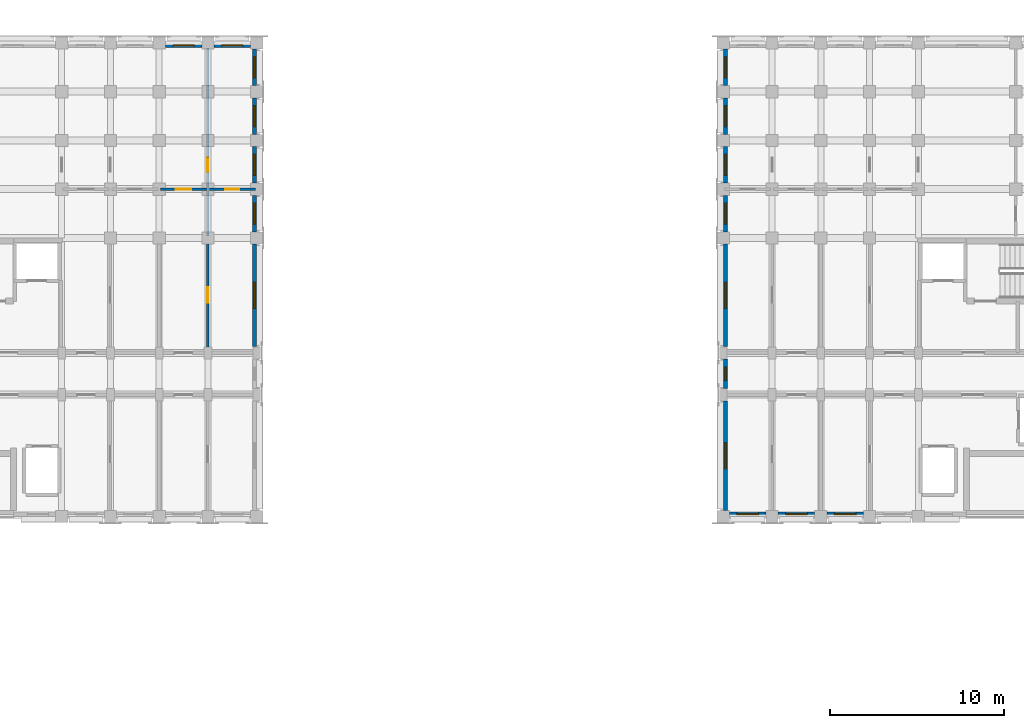
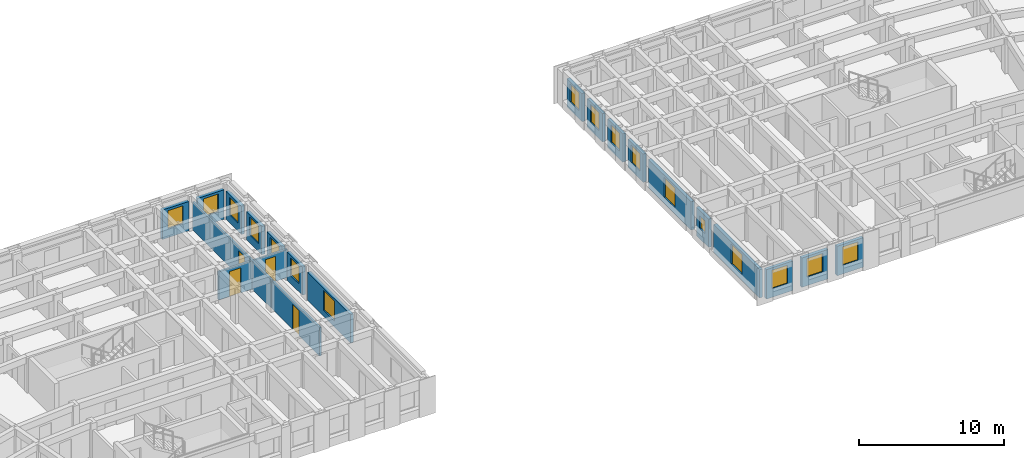
# One storey, part 30 of 57: 21 walls, 17 windows, 4 doors, 21 openings.
"""IFC4 building model written with IfcOpenShell, lengths in metres."""

from ifc_helpers import new_model, si_unit, direction, frame, frame_2d, origin, place, context, subcontext, project, spatial, rectangle, extrude, material, layer, layer_set, type_object, element, fill, save


model = new_model("IFC4")

# Units and contexts
model_context = context("Model", 3, precision=1e-05, world=origin(), true_north=direction((0.0, 1.0)))
body_context = subcontext(model_context, "Body", "Model", "MODEL_VIEW")
ifc_project = project(units=[si_unit("LENGTHUNIT", "METRE"), si_unit("AREAUNIT", "SQUARE_METRE"), si_unit("VOLUMEUNIT", "CUBIC_METRE"), si_unit("PLANEANGLEUNIT", "RADIAN"), si_unit("MASSUNIT", "GRAM", prefix="KILO")], contexts=[model_context])

# Site, building, storey
site_placement = place(None, origin())
site = spatial("IfcSite", under=ifc_project, at=site_placement, CompositionType="ELEMENT")
building_placement = place(site_placement, origin())
building = spatial("IfcBuilding", under=site, at=building_placement, Name="Kiranvali Square Residences", CompositionType="ELEMENT")
storey_placement = place(building_placement, frame((0.0, 0.0, 24.449951171875)))
storey = spatial("IfcBuildingStorey", under=building, at=storey_placement, Name="L07", CompositionType="ELEMENT", Elevation=24.449951171875)

# Wall, opening, window
ifc_material_1 = material(Name="Breathable lime-rendered clay brick masonry", Category="masonry")
ifc_layer_1 = layer(ifc_material_1, 0.25)
ifc_layer_set_1 = layer_set([ifc_layer_1], Name="Breathable lime-rendered clay brick masonry")
wall_type_1 = type_object("IfcWallType", Name="WL-EXT-250", PredefinedType="STANDARD", material=ifc_layer_set_1)
wall_1_placement = place(storey_placement, frame((65.353515625, 133.675048828125, 0.0), z_axis=(0.0, 0.0, 1.0), x_axis=(1.0, 0.0, 0.0)))
wall_1 = element("IfcWall", 1, at=wall_1_placement, inside=storey, type_object=wall_type_1, Name="L07 exterior wall A-L07-A1O-4", PredefinedType="STANDARD", context=body_context, shape_type="SweptSolid", body=[
    extrude(rectangle(XDim=2.093017578125, YDim=0.25, at=frame_2d((1.04638671875, 0.0))), origin(), (0.0, 0.0, 1.0), 2.47216796875),
])
opening_1_placement = place(wall_1_placement, frame((0.446533203125, 0.0, 0.77197265625)))
opening_1 = element("IfcOpeningElement", 2, at=opening_1_placement, cuts=wall_1, Name="Opening W-06", PredefinedType="OPENING", context=body_context, shape_type="SweptSolid", body=[
    extrude(rectangle(XDim=1.199951171875, YDim=1.5, at=frame_2d((0.60009765625, 0.75))), frame((0.0, 0.135009765625, 0.0), z_axis=(0.0, -1.0, 0.0), x_axis=(1.0, 0.0, 0.0)), (0.0, 0.0, 1.0), 0.27001953125),
])
ifc_material_2 = material(Name="Solar-control low-e double glazing", Category="glass")
window_type_1 = type_object("IfcWindowType", Name="WIN-RES-1200x1500", PartitioningType="SINGLE_PANEL", PredefinedType="WINDOW", material=ifc_material_2)
window_1_placement = place(opening_1_placement, origin())
window_1 = element("IfcWindow", 3, at=window_1_placement, inside=storey, type_object=window_type_1, Name="L07 recessed window A-L07-A1O-4", OverallHeight=1.5, OverallWidth=1.199951171875, PartitioningType="SINGLE_PANEL", PredefinedType="WINDOW", context=body_context, shape_type="SweptSolid", body=[
    extrude(rectangle(XDim=1.199951171875, YDim=1.5, at=frame_2d((0.60009765625, 0.75))), frame((0.0, 0.030029296875, 0.0), z_axis=(0.0, -1.0, 0.0), x_axis=(1.0, 0.0, 0.0)), (0.0, 0.0, 1.0), 0.06005859375),
])
fill(opening_1, window_1)

wall_2_placement = place(storey_placement, frame((68.153564453125, 133.675048828125, 0.0), z_axis=(0.0, 0.0, 1.0), x_axis=(1.0, 0.0, 0.0)))
wall_2 = element("IfcWall", 4, at=wall_2_placement, inside=storey, type_object=wall_type_1, Name="L07 exterior wall A-L07-A1O-5", PredefinedType="STANDARD", context=body_context, shape_type="SweptSolid", body=[
    extrude(rectangle(XDim=2.093017578125, YDim=0.25, at=frame_2d((1.04638671875, 0.0))), origin(), (0.0, 0.0, 1.0), 2.47216796875),
])
opening_2_placement = place(wall_2_placement, frame((0.446533203125, 0.0, 0.77197265625)))
opening_2 = element("IfcOpeningElement", 5, at=opening_2_placement, cuts=wall_2, Name="Opening W-06", PredefinedType="OPENING", context=body_context, shape_type="SweptSolid", body=[
    extrude(rectangle(XDim=1.199951171875, YDim=1.5, at=frame_2d((0.60009765625, 0.75))), frame((0.0, 0.135009765625, 0.0), z_axis=(0.0, -1.0, 0.0), x_axis=(1.0, 0.0, 0.0)), (0.0, 0.0, 1.0), 0.27001953125),
])
window_2_placement = place(opening_2_placement, origin())
window_2 = element("IfcWindow", 6, at=window_2_placement, inside=storey, type_object=window_type_1, Name="L07 recessed window A-L07-A1O-5", OverallHeight=1.5, OverallWidth=1.199951171875, PartitioningType="SINGLE_PANEL", PredefinedType="WINDOW", context=body_context, shape_type="SweptSolid", body=[
    extrude(rectangle(XDim=1.199951171875, YDim=1.5, at=frame_2d((0.60009765625, 0.75))), frame((0.0, 0.030029296875, 0.0), z_axis=(0.0, -1.0, 0.0), x_axis=(1.0, 0.0, 0.0)), (0.0, 0.0, 1.0), 0.06005859375),
])
fill(opening_2, window_2)

wall_3_placement = place(storey_placement, frame((70.47509765625, 116.353515625, 0.0), z_axis=(0.0, 0.0, 1.0), x_axis=(0.0, 1.0, 0.0)))
wall_3 = element("IfcWall", 7, at=wall_3_placement, inside=storey, type_object=wall_type_1, Name="L07 exterior wall A-L07-A1END-2", PredefinedType="STANDARD", context=body_context, shape_type="SweptSolid", body=[
    extrude(rectangle(XDim=5.89306640625, YDim=0.25, at=frame_2d((2.946533203125, 0.0))), origin(), (0.0, 0.0, 1.0), 2.3720703125),
])
opening_3_placement = place(wall_3_placement, frame((2.196533203125, 0.0, 0.52197265625)))
opening_3 = element("IfcOpeningElement", 8, at=opening_3_placement, cuts=wall_3, Name="Opening W-05", PredefinedType="OPENING", context=body_context, shape_type="SweptSolid", body=[
    extrude(rectangle(XDim=1.5, YDim=1.64990234375, at=frame_2d((0.75, 0.824951171875))), frame((0.0, 0.135009765625, 0.0), z_axis=(0.0, -1.0, 0.0), x_axis=(1.0, 0.0, 0.0)), (0.0, 0.0, 1.0), 0.27001953125),
])
window_type_2 = type_object("IfcWindowType", Name="WIN-RES-1500x1650", PartitioningType="DOUBLE_PANEL_VERTICAL", PredefinedType="WINDOW", material=ifc_material_2)
window_3_placement = place(opening_3_placement, origin())
window_3 = element("IfcWindow", 9, at=window_3_placement, inside=storey, type_object=window_type_2, Name="L07 recessed window A-L07-A1END-2", OverallHeight=1.64990234375, OverallWidth=1.5, PartitioningType="DOUBLE_PANEL_VERTICAL", PredefinedType="WINDOW", context=body_context, shape_type="SweptSolid", body=[
    extrude(rectangle(XDim=1.5, YDim=1.64990234375, at=frame_2d((0.75, 0.824951171875))), frame((0.0, 0.030029296875, 0.0), z_axis=(0.0, -1.0, 0.0), x_axis=(1.0, 0.0, 0.0)), (0.0, 0.0, 1.0), 0.06005859375),
])
fill(opening_3, window_3)

wall_4_placement = place(storey_placement, frame((70.47509765625, 122.95361328125, 0.0), z_axis=(0.0, 0.0, 1.0), x_axis=(0.0, 1.0, 0.0)))
wall_4 = element("IfcWall", 10, at=wall_4_placement, inside=storey, type_object=wall_type_1, Name="L07 exterior wall A-L07-A1END-3", PredefinedType="STANDARD", context=body_context, shape_type="SweptSolid", body=[
    extrude(rectangle(XDim=2.0927734375, YDim=0.25, at=frame_2d((1.04638671875, 0.0))), origin(), (0.0, 0.0, 1.0), 2.3720703125),
])
opening_4_placement = place(wall_4_placement, frame((0.446533203125, 0.0, 0.672119140625)))
opening_4 = element("IfcOpeningElement", 11, at=opening_4_placement, cuts=wall_4, Name="Opening W-06", PredefinedType="OPENING", context=body_context, shape_type="SweptSolid", body=[
    extrude(rectangle(XDim=1.199951171875, YDim=1.5, at=frame_2d((0.60009765625, 0.75))), frame((0.0, 0.135009765625, 0.0), z_axis=(0.0, -1.0, 0.0), x_axis=(1.0, 0.0, 0.0)), (0.0, 0.0, 1.0), 0.27001953125),
])
window_4_placement = place(opening_4_placement, origin())
window_4 = element("IfcWindow", 12, at=window_4_placement, inside=storey, type_object=window_type_1, Name="L07 recessed window A-L07-A1END-3", OverallHeight=1.5, OverallWidth=1.199951171875, PartitioningType="SINGLE_PANEL", PredefinedType="WINDOW", context=body_context, shape_type="SweptSolid", body=[
    extrude(rectangle(XDim=1.199951171875, YDim=1.5, at=frame_2d((0.60009765625, 0.75))), frame((0.0, 0.030029296875, 0.0), z_axis=(0.0, -1.0, 0.0), x_axis=(1.0, 0.0, 0.0)), (0.0, 0.0, 1.0), 0.06005859375),
])
fill(opening_4, window_4)

wall_5_placement = place(storey_placement, frame((70.47509765625, 125.75341796875, 0.0), z_axis=(0.0, 0.0, 1.0), x_axis=(0.0, 1.0, 0.0)))
wall_5 = element("IfcWall", 13, at=wall_5_placement, inside=storey, type_object=wall_type_1, Name="L07 exterior wall A-L07-A1END-4", PredefinedType="STANDARD", context=body_context, shape_type="SweptSolid", body=[
    extrude(rectangle(XDim=2.093017578125, YDim=0.25, at=frame_2d((1.04638671875, 0.0))), origin(), (0.0, 0.0, 1.0), 2.3720703125),
])
opening_5_placement = place(wall_5_placement, frame((0.446533203125, 0.0, 0.672119140625)))
opening_5 = element("IfcOpeningElement", 14, at=opening_5_placement, cuts=wall_5, Name="Opening W-06", PredefinedType="OPENING", context=body_context, shape_type="SweptSolid", body=[
    extrude(rectangle(XDim=1.199951171875, YDim=1.5, at=frame_2d((0.60009765625, 0.75))), frame((0.0, 0.135009765625, 0.0), z_axis=(0.0, -1.0, 0.0), x_axis=(1.0, 0.0, 0.0)), (0.0, 0.0, 1.0), 0.27001953125),
])
window_5_placement = place(opening_5_placement, origin())
window_5 = element("IfcWindow", 15, at=window_5_placement, inside=storey, type_object=window_type_1, Name="L07 recessed window A-L07-A1END-4", OverallHeight=1.5, OverallWidth=1.199951171875, PartitioningType="SINGLE_PANEL", PredefinedType="WINDOW", context=body_context, shape_type="SweptSolid", body=[
    extrude(rectangle(XDim=1.199951171875, YDim=1.5, at=frame_2d((0.60009765625, 0.75))), frame((0.0, 0.030029296875, 0.0), z_axis=(0.0, -1.0, 0.0), x_axis=(1.0, 0.0, 0.0)), (0.0, 0.0, 1.0), 0.06005859375),
])
fill(opening_5, window_5)

wall_6_placement = place(storey_placement, frame((70.47509765625, 128.553466796875, 0.0), z_axis=(0.0, 0.0, 1.0), x_axis=(0.0, 1.0, 0.0)))
wall_6 = element("IfcWall", 16, at=wall_6_placement, inside=storey, type_object=wall_type_1, Name="L07 exterior wall A-L07-A1END-5", PredefinedType="STANDARD", context=body_context, shape_type="SweptSolid", body=[
    extrude(rectangle(XDim=2.093017578125, YDim=0.25, at=frame_2d((1.04638671875, 0.0))), origin(), (0.0, 0.0, 1.0), 2.3720703125),
])
opening_6_placement = place(wall_6_placement, frame((0.446533203125, 0.0, 0.672119140625)))
opening_6 = element("IfcOpeningElement", 17, at=opening_6_placement, cuts=wall_6, Name="Opening W-06", PredefinedType="OPENING", context=body_context, shape_type="SweptSolid", body=[
    extrude(rectangle(XDim=1.199951171875, YDim=1.5, at=frame_2d((0.60009765625, 0.75))), frame((0.0, 0.135009765625, 0.0), z_axis=(0.0, -1.0, 0.0), x_axis=(1.0, 0.0, 0.0)), (0.0, 0.0, 1.0), 0.27001953125),
])
window_6_placement = place(opening_6_placement, origin())
window_6 = element("IfcWindow", 18, at=window_6_placement, inside=storey, type_object=window_type_1, Name="L07 recessed window A-L07-A1END-5", OverallHeight=1.5, OverallWidth=1.199951171875, PartitioningType="SINGLE_PANEL", PredefinedType="WINDOW", context=body_context, shape_type="SweptSolid", body=[
    extrude(rectangle(XDim=1.199951171875, YDim=1.5, at=frame_2d((0.60009765625, 0.75))), frame((0.0, 0.030029296875, 0.0), z_axis=(0.0, -1.0, 0.0), x_axis=(1.0, 0.0, 0.0)), (0.0, 0.0, 1.0), 0.06005859375),
])
fill(opening_6, window_6)

wall_7_placement = place(storey_placement, frame((70.47509765625, 131.353515625, 0.0), z_axis=(0.0, 0.0, 1.0), x_axis=(0.0, 1.0, 0.0)))
wall_7 = element("IfcWall", 19, at=wall_7_placement, inside=storey, type_object=wall_type_1, Name="L07 exterior wall A-L07-A1END-6", PredefinedType="STANDARD", context=body_context, shape_type="SweptSolid", body=[
    extrude(rectangle(XDim=2.093017578125, YDim=0.25, at=frame_2d((1.04638671875, 0.0))), origin(), (0.0, 0.0, 1.0), 2.3720703125),
])
opening_7_placement = place(wall_7_placement, frame((0.446533203125, 0.0, 0.672119140625)))
opening_7 = element("IfcOpeningElement", 20, at=opening_7_placement, cuts=wall_7, Name="Opening W-06", PredefinedType="OPENING", context=body_context, shape_type="SweptSolid", body=[
    extrude(rectangle(XDim=1.199951171875, YDim=1.5, at=frame_2d((0.60009765625, 0.75))), frame((0.0, 0.135009765625, 0.0), z_axis=(0.0, -1.0, 0.0), x_axis=(1.0, 0.0, 0.0)), (0.0, 0.0, 1.0), 0.27001953125),
])
window_7_placement = place(opening_7_placement, origin())
window_7 = element("IfcWindow", 21, at=window_7_placement, inside=storey, type_object=window_type_1, Name="L07 recessed window A-L07-A1END-6", OverallHeight=1.5, OverallWidth=1.199951171875, PartitioningType="SINGLE_PANEL", PredefinedType="WINDOW", context=body_context, shape_type="SweptSolid", body=[
    extrude(rectangle(XDim=1.199951171875, YDim=1.5, at=frame_2d((0.60009765625, 0.75))), frame((0.0, 0.030029296875, 0.0), z_axis=(0.0, -1.0, 0.0), x_axis=(1.0, 0.0, 0.0)), (0.0, 0.0, 1.0), 0.06005859375),
])
fill(opening_7, window_7)

wall_8_placement = place(storey_placement, frame((105.446533203125, 106.72509765625, 0.0), z_axis=(0.0, 0.0, 1.0), x_axis=(-1.0, 0.0, 0.0)))
wall_8 = element("IfcWall", 22, at=wall_8_placement, inside=storey, type_object=wall_type_1, Name="L07 exterior wall B-L07-A1I-1", PredefinedType="STANDARD", context=body_context, shape_type="SweptSolid", body=[
    extrude(rectangle(XDim=2.093017578125, YDim=0.25, at=frame_2d((1.04638671875, 0.0))), origin(), (0.0, 0.0, 1.0), 2.47216796875),
])
opening_8_placement = place(wall_8_placement, frame((0.42138671875, 0.0, 0.721923828125)))
opening_8 = element("IfcOpeningElement", 23, at=opening_8_placement, cuts=wall_8, Name="Opening W-19", PredefinedType="OPENING", context=body_context, shape_type="SweptSolid", body=[
    extrude(rectangle(XDim=1.25, YDim=1.550048828125, at=frame_2d((0.625, 0.77490234375))), frame((0.0, 0.135009765625, 0.0), z_axis=(0.0, -1.0, 0.0), x_axis=(1.0, 0.0, 0.0)), (0.0, 0.0, 1.0), 0.27001953125),
])
window_type_3 = type_object("IfcWindowType", Name="WIN-GDN-1250x1550", PartitioningType="SINGLE_PANEL", PredefinedType="WINDOW", material=ifc_material_2)
window_8_placement = place(opening_8_placement, origin())
window_8 = element("IfcWindow", 24, at=window_8_placement, inside=storey, type_object=window_type_3, Name="L07 recessed window B-L07-A1I-1", OverallHeight=1.550048828125, OverallWidth=1.25, PartitioningType="SINGLE_PANEL", PredefinedType="WINDOW", context=body_context, shape_type="SweptSolid", body=[
    extrude(rectangle(XDim=1.25, YDim=1.550048828125, at=frame_2d((0.625, 0.77490234375))), frame((0.0, 0.030029296875, 0.0), z_axis=(0.0, -1.0, 0.0), x_axis=(1.0, 0.0, 0.0)), (0.0, 0.0, 1.0), 0.06005859375),
])
fill(opening_8, window_8)

wall_9_placement = place(storey_placement, frame((102.646484375, 106.72509765625, 0.0), z_axis=(0.0, 0.0, 1.0), x_axis=(-1.0, 0.0, 0.0)))
wall_9 = element("IfcWall", 25, at=wall_9_placement, inside=storey, type_object=wall_type_1, Name="L07 exterior wall B-L07-A1I-2", PredefinedType="STANDARD", context=body_context, shape_type="SweptSolid", body=[
    extrude(rectangle(XDim=2.093017578125, YDim=0.25, at=frame_2d((1.04638671875, 0.0))), origin(), (0.0, 0.0, 1.0), 2.47216796875),
])
opening_9_placement = place(wall_9_placement, frame((0.42138671875, 0.0, 0.721923828125)))
opening_9 = element("IfcOpeningElement", 26, at=opening_9_placement, cuts=wall_9, Name="Opening W-19", PredefinedType="OPENING", context=body_context, shape_type="SweptSolid", body=[
    extrude(rectangle(XDim=1.25, YDim=1.550048828125, at=frame_2d((0.625, 0.77490234375))), frame((0.0, 0.135009765625, 0.0), z_axis=(0.0, -1.0, 0.0), x_axis=(1.0, 0.0, 0.0)), (0.0, 0.0, 1.0), 0.27001953125),
])
window_9_placement = place(opening_9_placement, origin())
window_9 = element("IfcWindow", 27, at=window_9_placement, inside=storey, type_object=window_type_3, Name="L07 recessed window B-L07-A1I-2", OverallHeight=1.550048828125, OverallWidth=1.25, PartitioningType="SINGLE_PANEL", PredefinedType="WINDOW", context=body_context, shape_type="SweptSolid", body=[
    extrude(rectangle(XDim=1.25, YDim=1.550048828125, at=frame_2d((0.625, 0.77490234375))), frame((0.0, 0.030029296875, 0.0), z_axis=(0.0, -1.0, 0.0), x_axis=(1.0, 0.0, 0.0)), (0.0, 0.0, 1.0), 0.06005859375),
])
fill(opening_9, window_9)

wall_10_placement = place(storey_placement, frame((99.846435546875, 106.72509765625, 0.0), z_axis=(0.0, 0.0, 1.0), x_axis=(-1.0, 0.0, 0.0)))
wall_10 = element("IfcWall", 28, at=wall_10_placement, inside=storey, type_object=wall_type_1, Name="L07 exterior wall B-L07-A1I-3", PredefinedType="STANDARD", context=body_context, shape_type="SweptSolid", body=[
    extrude(rectangle(XDim=2.093017578125, YDim=0.25, at=frame_2d((1.04638671875, 0.0))), origin(), (0.0, 0.0, 1.0), 2.47216796875),
])
opening_10_placement = place(wall_10_placement, frame((0.42138671875, 0.0, 0.721923828125)))
opening_10 = element("IfcOpeningElement", 29, at=opening_10_placement, cuts=wall_10, Name="Opening W-19", PredefinedType="OPENING", context=body_context, shape_type="SweptSolid", body=[
    extrude(rectangle(XDim=1.25, YDim=1.550048828125, at=frame_2d((0.625, 0.77490234375))), frame((0.0, 0.135009765625, 0.0), z_axis=(0.0, -1.0, 0.0), x_axis=(1.0, 0.0, 0.0)), (0.0, 0.0, 1.0), 0.27001953125),
])
window_10_placement = place(opening_10_placement, origin())
window_10 = element("IfcWindow", 30, at=window_10_placement, inside=storey, type_object=window_type_3, Name="L07 recessed window B-L07-A1I-3", OverallHeight=1.550048828125, OverallWidth=1.25, PartitioningType="SINGLE_PANEL", PredefinedType="WINDOW", context=body_context, shape_type="SweptSolid", body=[
    extrude(rectangle(XDim=1.25, YDim=1.550048828125, at=frame_2d((0.625, 0.77490234375))), frame((0.0, 0.030029296875, 0.0), z_axis=(0.0, -1.0, 0.0), x_axis=(1.0, 0.0, 0.0)), (0.0, 0.0, 1.0), 0.06005859375),
])
fill(opening_10, window_10)

wall_11_placement = place(storey_placement, frame((97.52490234375, 106.95361328125, 0.0), z_axis=(0.0, 0.0, 1.0), x_axis=(0.0, 1.0, 0.0)))
wall_11 = element("IfcWall", 31, at=wall_11_placement, inside=storey, type_object=wall_type_1, Name="L07 exterior wall B-L07-A1END-0", PredefinedType="STANDARD", context=body_context, shape_type="SweptSolid", body=[
    extrude(rectangle(XDim=6.29296875, YDim=0.25, at=frame_2d((3.146484375, 0.0))), origin(), (0.0, 0.0, 1.0), 2.3720703125),
])
opening_11_placement = place(wall_11_placement, frame((2.396484375, 0.0, 0.52197265625)))
opening_11 = element("IfcOpeningElement", 32, at=opening_11_placement, cuts=wall_11, Name="Opening W-05", PredefinedType="OPENING", context=body_context, shape_type="SweptSolid", body=[
    extrude(rectangle(XDim=1.5, YDim=1.64990234375, at=frame_2d((0.75, 0.824951171875))), frame((0.0, 0.135009765625, 0.0), z_axis=(0.0, -1.0, 0.0), x_axis=(1.0, 0.0, 0.0)), (0.0, 0.0, 1.0), 0.27001953125),
])
window_11_placement = place(opening_11_placement, origin())
window_11 = element("IfcWindow", 33, at=window_11_placement, inside=storey, type_object=window_type_2, Name="L07 recessed window B-L07-A1END-0", OverallHeight=1.64990234375, OverallWidth=1.5, PartitioningType="DOUBLE_PANEL_VERTICAL", PredefinedType="WINDOW", context=body_context, shape_type="SweptSolid", body=[
    extrude(rectangle(XDim=1.5, YDim=1.64990234375, at=frame_2d((0.75, 0.824951171875))), frame((0.0, 0.030029296875, 0.0), z_axis=(0.0, -1.0, 0.0), x_axis=(1.0, 0.0, 0.0)), (0.0, 0.0, 1.0), 0.06005859375),
])
fill(opening_11, window_11)

wall_12_placement = place(storey_placement, frame((97.52490234375, 113.95361328125, 0.0), z_axis=(0.0, 0.0, 1.0), x_axis=(0.0, 1.0, 0.0)))
wall_12 = element("IfcWall", 34, at=wall_12_placement, inside=storey, type_object=wall_type_1, Name="L07 exterior wall B-L07-A1END-1", PredefinedType="STANDARD", context=body_context, shape_type="SweptSolid", body=[
    extrude(rectangle(XDim=1.69287109375, YDim=0.25, at=frame_2d((0.846435546875, 0.0))), origin(), (0.0, 0.0, 1.0), 2.3720703125),
])
opening_12_placement = place(wall_12_placement, frame((0.471435546875, 0.0, 0.8798828125)))
opening_12 = element("IfcOpeningElement", 35, at=opening_12_placement, cuts=wall_12, Name="Opening W-07", PredefinedType="OPENING", context=body_context, shape_type="SweptSolid", body=[
    extrude(rectangle(XDim=0.75, YDim=1.050048828125, at=frame_2d((0.375, 0.52490234375))), frame((0.0, 0.135009765625, 0.0), z_axis=(0.0, -1.0, 0.0), x_axis=(1.0, 0.0, 0.0)), (0.0, 0.0, 1.0), 0.27001953125),
])
window_type_4 = type_object("IfcWindowType", Name="WIN-WET-750x1050", PartitioningType="SINGLE_PANEL", PredefinedType="WINDOW", material=ifc_material_2)
window_12_placement = place(opening_12_placement, origin())
window_12 = element("IfcWindow", 36, at=window_12_placement, inside=storey, type_object=window_type_4, Name="L07 recessed window B-L07-A1END-1", OverallHeight=1.050048828125, OverallWidth=0.75, PartitioningType="SINGLE_PANEL", PredefinedType="WINDOW", context=body_context, shape_type="SweptSolid", body=[
    extrude(rectangle(XDim=0.75, YDim=1.050048828125, at=frame_2d((0.375, 0.52490234375))), frame((0.0, 0.030029296875, 0.0), z_axis=(0.0, -1.0, 0.0), x_axis=(1.0, 0.0, 0.0)), (0.0, 0.0, 1.0), 0.06005859375),
])
fill(opening_12, window_12)

wall_13_placement = place(storey_placement, frame((97.52490234375, 116.353515625, 0.0), z_axis=(0.0, 0.0, 1.0), x_axis=(0.0, 1.0, 0.0)))
wall_13 = element("IfcWall", 37, at=wall_13_placement, inside=storey, type_object=wall_type_1, Name="L07 exterior wall B-L07-A1END-2", PredefinedType="STANDARD", context=body_context, shape_type="SweptSolid", body=[
    extrude(rectangle(XDim=5.89306640625, YDim=0.25, at=frame_2d((2.946533203125, 0.0))), origin(), (0.0, 0.0, 1.0), 2.3720703125),
])
opening_13_placement = place(wall_13_placement, frame((2.196533203125, 0.0, 0.52197265625)))
opening_13 = element("IfcOpeningElement", 38, at=opening_13_placement, cuts=wall_13, Name="Opening W-05", PredefinedType="OPENING", context=body_context, shape_type="SweptSolid", body=[
    extrude(rectangle(XDim=1.5, YDim=1.64990234375, at=frame_2d((0.75, 0.824951171875))), frame((0.0, 0.135009765625, 0.0), z_axis=(0.0, -1.0, 0.0), x_axis=(1.0, 0.0, 0.0)), (0.0, 0.0, 1.0), 0.27001953125),
])
window_13_placement = place(opening_13_placement, origin())
window_13 = element("IfcWindow", 39, at=window_13_placement, inside=storey, type_object=window_type_2, Name="L07 recessed window B-L07-A1END-2", OverallHeight=1.64990234375, OverallWidth=1.5, PartitioningType="DOUBLE_PANEL_VERTICAL", PredefinedType="WINDOW", context=body_context, shape_type="SweptSolid", body=[
    extrude(rectangle(XDim=1.5, YDim=1.64990234375, at=frame_2d((0.75, 0.824951171875))), frame((0.0, 0.030029296875, 0.0), z_axis=(0.0, -1.0, 0.0), x_axis=(1.0, 0.0, 0.0)), (0.0, 0.0, 1.0), 0.06005859375),
])
fill(opening_13, window_13)

wall_14_placement = place(storey_placement, frame((97.52490234375, 122.95361328125, 0.0), z_axis=(0.0, 0.0, 1.0), x_axis=(0.0, 1.0, 0.0)))
wall_14 = element("IfcWall", 40, at=wall_14_placement, inside=storey, type_object=wall_type_1, Name="L07 exterior wall B-L07-A1END-3", PredefinedType="STANDARD", context=body_context, shape_type="SweptSolid", body=[
    extrude(rectangle(XDim=2.0927734375, YDim=0.25, at=frame_2d((1.04638671875, 0.0))), origin(), (0.0, 0.0, 1.0), 2.3720703125),
])
opening_14_placement = place(wall_14_placement, frame((0.446533203125, 0.0, 0.672119140625)))
opening_14 = element("IfcOpeningElement", 41, at=opening_14_placement, cuts=wall_14, Name="Opening W-06", PredefinedType="OPENING", context=body_context, shape_type="SweptSolid", body=[
    extrude(rectangle(XDim=1.199951171875, YDim=1.5, at=frame_2d((0.60009765625, 0.75))), frame((0.0, 0.135009765625, 0.0), z_axis=(0.0, -1.0, 0.0), x_axis=(1.0, 0.0, 0.0)), (0.0, 0.0, 1.0), 0.27001953125),
])
window_14_placement = place(opening_14_placement, origin())
window_14 = element("IfcWindow", 42, at=window_14_placement, inside=storey, type_object=window_type_1, Name="L07 recessed window B-L07-A1END-3", OverallHeight=1.5, OverallWidth=1.199951171875, PartitioningType="SINGLE_PANEL", PredefinedType="WINDOW", context=body_context, shape_type="SweptSolid", body=[
    extrude(rectangle(XDim=1.199951171875, YDim=1.5, at=frame_2d((0.60009765625, 0.75))), frame((0.0, 0.030029296875, 0.0), z_axis=(0.0, -1.0, 0.0), x_axis=(1.0, 0.0, 0.0)), (0.0, 0.0, 1.0), 0.06005859375),
])
fill(opening_14, window_14)

wall_15_placement = place(storey_placement, frame((97.52490234375, 125.75341796875, 0.0), z_axis=(0.0, 0.0, 1.0), x_axis=(0.0, 1.0, 0.0)))
wall_15 = element("IfcWall", 43, at=wall_15_placement, inside=storey, type_object=wall_type_1, Name="L07 exterior wall B-L07-A1END-4", PredefinedType="STANDARD", context=body_context, shape_type="SweptSolid", body=[
    extrude(rectangle(XDim=2.093017578125, YDim=0.25, at=frame_2d((1.04638671875, 0.0))), origin(), (0.0, 0.0, 1.0), 2.3720703125),
])
opening_15_placement = place(wall_15_placement, frame((0.446533203125, 0.0, 0.672119140625)))
opening_15 = element("IfcOpeningElement", 44, at=opening_15_placement, cuts=wall_15, Name="Opening W-06", PredefinedType="OPENING", context=body_context, shape_type="SweptSolid", body=[
    extrude(rectangle(XDim=1.199951171875, YDim=1.5, at=frame_2d((0.60009765625, 0.75))), frame((0.0, 0.135009765625, 0.0), z_axis=(0.0, -1.0, 0.0), x_axis=(1.0, 0.0, 0.0)), (0.0, 0.0, 1.0), 0.27001953125),
])
window_15_placement = place(opening_15_placement, origin())
window_15 = element("IfcWindow", 45, at=window_15_placement, inside=storey, type_object=window_type_1, Name="L07 recessed window B-L07-A1END-4", OverallHeight=1.5, OverallWidth=1.199951171875, PartitioningType="SINGLE_PANEL", PredefinedType="WINDOW", context=body_context, shape_type="SweptSolid", body=[
    extrude(rectangle(XDim=1.199951171875, YDim=1.5, at=frame_2d((0.60009765625, 0.75))), frame((0.0, 0.030029296875, 0.0), z_axis=(0.0, -1.0, 0.0), x_axis=(1.0, 0.0, 0.0)), (0.0, 0.0, 1.0), 0.06005859375),
])
fill(opening_15, window_15)

wall_16_placement = place(storey_placement, frame((97.52490234375, 128.553466796875, 0.0), z_axis=(0.0, 0.0, 1.0), x_axis=(0.0, 1.0, 0.0)))
wall_16 = element("IfcWall", 46, at=wall_16_placement, inside=storey, type_object=wall_type_1, Name="L07 exterior wall B-L07-A1END-5", PredefinedType="STANDARD", context=body_context, shape_type="SweptSolid", body=[
    extrude(rectangle(XDim=2.093017578125, YDim=0.25, at=frame_2d((1.04638671875, 0.0))), origin(), (0.0, 0.0, 1.0), 2.3720703125),
])
opening_16_placement = place(wall_16_placement, frame((0.446533203125, 0.0, 0.672119140625)))
opening_16 = element("IfcOpeningElement", 47, at=opening_16_placement, cuts=wall_16, Name="Opening W-06", PredefinedType="OPENING", context=body_context, shape_type="SweptSolid", body=[
    extrude(rectangle(XDim=1.199951171875, YDim=1.5, at=frame_2d((0.60009765625, 0.75))), frame((0.0, 0.135009765625, 0.0), z_axis=(0.0, -1.0, 0.0), x_axis=(1.0, 0.0, 0.0)), (0.0, 0.0, 1.0), 0.27001953125),
])
window_16_placement = place(opening_16_placement, origin())
window_16 = element("IfcWindow", 48, at=window_16_placement, inside=storey, type_object=window_type_1, Name="L07 recessed window B-L07-A1END-5", OverallHeight=1.5, OverallWidth=1.199951171875, PartitioningType="SINGLE_PANEL", PredefinedType="WINDOW", context=body_context, shape_type="SweptSolid", body=[
    extrude(rectangle(XDim=1.199951171875, YDim=1.5, at=frame_2d((0.60009765625, 0.75))), frame((0.0, 0.030029296875, 0.0), z_axis=(0.0, -1.0, 0.0), x_axis=(1.0, 0.0, 0.0)), (0.0, 0.0, 1.0), 0.06005859375),
])
fill(opening_16, window_16)

wall_17_placement = place(storey_placement, frame((97.52490234375, 131.353515625, 0.0), z_axis=(0.0, 0.0, 1.0), x_axis=(0.0, 1.0, 0.0)))
wall_17 = element("IfcWall", 49, at=wall_17_placement, inside=storey, type_object=wall_type_1, Name="L07 exterior wall B-L07-A1END-6", PredefinedType="STANDARD", context=body_context, shape_type="SweptSolid", body=[
    extrude(rectangle(XDim=2.093017578125, YDim=0.25, at=frame_2d((1.04638671875, 0.0))), origin(), (0.0, 0.0, 1.0), 2.3720703125),
])
opening_17_placement = place(wall_17_placement, frame((0.446533203125, 0.0, 0.672119140625)))
opening_17 = element("IfcOpeningElement", 50, at=opening_17_placement, cuts=wall_17, Name="Opening W-06", PredefinedType="OPENING", context=body_context, shape_type="SweptSolid", body=[
    extrude(rectangle(XDim=1.199951171875, YDim=1.5, at=frame_2d((0.60009765625, 0.75))), frame((0.0, 0.135009765625, 0.0), z_axis=(0.0, -1.0, 0.0), x_axis=(1.0, 0.0, 0.0)), (0.0, 0.0, 1.0), 0.27001953125),
])
window_17_placement = place(opening_17_placement, origin())
window_17 = element("IfcWindow", 51, at=window_17_placement, inside=storey, type_object=window_type_1, Name="L07 recessed window B-L07-A1END-6", OverallHeight=1.5, OverallWidth=1.199951171875, PartitioningType="SINGLE_PANEL", PredefinedType="WINDOW", context=body_context, shape_type="SweptSolid", body=[
    extrude(rectangle(XDim=1.199951171875, YDim=1.5, at=frame_2d((0.60009765625, 0.75))), frame((0.0, 0.030029296875, 0.0), z_axis=(0.0, -1.0, 0.0), x_axis=(1.0, 0.0, 0.0)), (0.0, 0.0, 1.0), 0.06005859375),
])
fill(opening_17, window_17)

# Wall, opening, door
ifc_material_3 = material(Name="Acoustic gypsum board drylined partition", Category="gypsum")
ifc_layer_2 = layer(ifc_material_3, 0.14990234375)
ifc_layer_set_2 = layer_set([ifc_layer_2], Name="Acoustic gypsum board drylined partition")
wall_type_2 = type_object("IfcWallType", Name="WL-PRT-150", PredefinedType="PARTITIONING", material=ifc_layer_set_2)
wall_18_placement = place(storey_placement, frame((67.800048828125, 116.050048828125, 0.0), z_axis=(0.0, 0.0, 1.0), x_axis=(0.0, 1.0, 0.0)))
wall_18 = element("IfcWall", 52, at=wall_18_placement, inside=storey, type_object=wall_type_2, Name="L07 architectural wall WL-L07-A-A1TO1-3", PredefinedType="PARTITIONING", context=body_context, shape_type="SweptSolid", body=[
    extrude(rectangle(XDim=6.530029296875, YDim=0.14990234375, at=frame_2d((3.26513671875, 0.0))), origin(), (0.0, 0.0, 1.0), 2.3720703125),
])
opening_18_placement = place(wall_18_placement, frame((2.81494140625, 0.0, 0.0)))
opening_18 = element("IfcOpeningElement", 53, at=opening_18_placement, cuts=wall_18, Name="Opening ID-1", PredefinedType="OPENING", context=body_context, shape_type="SweptSolid", body=[
    extrude(rectangle(XDim=0.89990234375, YDim=2.10009765625, at=frame_2d((0.449951171875, 1.050048828125))), frame((0.0, 0.0849609375, 0.0), z_axis=(0.0, -1.0, 0.0), x_axis=(1.0, 0.0, 0.0)), (0.0, 0.0, 1.0), 0.169921875),
])
ifc_material_4 = material(Name="Solid seasoned teak hardwood joinery", Category="wood")
door_type_1 = type_object("IfcDoorType", Name="DR-INT-900", OperationType="NOTDEFINED", PredefinedType="DOOR", material=ifc_material_4)
door_1_placement = place(opening_18_placement, frame((0.89990234375, 0.0, 0.0), z_axis=(0.0, 0.0, 1.0), x_axis=(-1.0, 0.0, 0.0)))
door_1 = element("IfcDoor", 54, at=door_1_placement, inside=storey, type_object=door_type_1, Name="L07 door DR-L07-0476 (DR-INT-900)", OperationType="SINGLE_SWING_RIGHT", OverallHeight=2.10009765625, OverallWidth=0.89990234375, PredefinedType="DOOR", context=body_context, shape_type="SweptSolid", body=[
    extrude(rectangle(XDim=0.89990234375, YDim=2.10009765625, at=frame_2d((0.449951171875, 1.050048828125))), frame((0.0, 0.02490234375, 0.0), z_axis=(0.0, -1.0, 0.0), x_axis=(1.0, 0.0, 0.0)), (0.0, 0.0, 1.0), 0.050048828125),
])
fill(opening_18, door_1)

wall_19_placement = place(storey_placement, frame((67.800048828125, 122.699951171875, 0.0), z_axis=(0.0, 0.0, 1.0), x_axis=(0.0, 1.0, 0.0)))
wall_19 = element("IfcWall", 55, at=wall_19_placement, inside=storey, type_object=wall_type_2, Name="L07 architectural wall WL-L07-A-A1TO2-3", PredefinedType="PARTITIONING", context=body_context, shape_type="SweptSolid", body=[
    extrude(rectangle(XDim=10.820068359375, YDim=0.14990234375, at=frame_2d((5.41015625, 0.0))), origin(), (0.0, 0.0, 1.0), 2.3720703125),
])
opening_19_placement = place(wall_19_placement, frame((3.69970703125, 0.0, 0.0)))
opening_19 = element("IfcOpeningElement", 56, at=opening_19_placement, cuts=wall_19, Name="Opening ID-WET", PredefinedType="OPENING", context=body_context, shape_type="SweptSolid", body=[
    extrude(rectangle(XDim=0.800048828125, YDim=2.10009765625, at=frame_2d((0.39990234375, 1.050048828125))), frame((0.0, 0.0849609375, 0.0), z_axis=(0.0, -1.0, 0.0), x_axis=(1.0, 0.0, 0.0)), (0.0, 0.0, 1.0), 0.169921875),
])
door_type_2 = type_object("IfcDoorType", Name="DR-WET-800", OperationType="NOTDEFINED", PredefinedType="DOOR", material=ifc_material_4)
door_2_placement = place(opening_19_placement, origin())
door_2 = element("IfcDoor", 57, at=door_2_placement, inside=storey, type_object=door_type_2, Name="L07 door DR-L07-0477 (DR-WET-800)", OperationType="SINGLE_SWING_LEFT", OverallHeight=2.10009765625, OverallWidth=0.800048828125, PredefinedType="DOOR", context=body_context, shape_type="SweptSolid", body=[
    extrude(rectangle(XDim=0.800048828125, YDim=2.10009765625, at=frame_2d((0.39990234375, 1.050048828125))), frame((0.0, 0.02490234375, 0.0), z_axis=(0.0, -1.0, 0.0), x_axis=(1.0, 0.0, 0.0)), (0.0, 0.0, 1.0), 0.050048828125),
])
fill(opening_19, door_2)

ifc_material_5 = material(Name="Autoclaved aerated concrete blockwork masonry", Category="masonry")
ifc_layer_3 = layer(ifc_material_5, 0.14990234375)
ifc_layer_set_3 = layer_set([ifc_layer_3], Name="Autoclaved aerated concrete blockwork masonry")
wall_type_3 = type_object("IfcWallType", Name="WL-WET-150", PredefinedType="PLUMBINGWALL", material=ifc_layer_set_3)
wall_20_placement = place(storey_placement, frame((65.080078125, 125.39990234375, 0.0), z_axis=(0.0, 0.0, 1.0), x_axis=(1.0, 0.0, 0.0)))
wall_20 = element("IfcWall", 58, at=wall_20_placement, inside=storey, type_object=wall_type_3, Name="L07 architectural wall WL-L07-A-A1SP-2", PredefinedType="PLUMBINGWALL", context=body_context, shape_type="SweptSolid", body=[
    extrude(rectangle(XDim=2.639892578125, YDim=0.14990234375, at=frame_2d((1.31982421875, 0.0))), origin(), (0.0, 0.0, 1.0), 2.3720703125),
])
opening_20_placement = place(wall_20_placement, frame((0.8701171875, 0.0, 0.0)))
opening_20 = element("IfcOpeningElement", 59, at=opening_20_placement, cuts=wall_20, Name="Opening ID-1", PredefinedType="OPENING", context=body_context, shape_type="SweptSolid", body=[
    extrude(rectangle(XDim=0.89990234375, YDim=2.10009765625, at=frame_2d((0.449951171875, 1.050048828125))), frame((0.0, 0.0849609375, 0.0), z_axis=(0.0, -1.0, 0.0), x_axis=(1.0, 0.0, 0.0)), (0.0, 0.0, 1.0), 0.169921875),
])
door_3_placement = place(opening_20_placement, frame((0.89990234375, 0.0, 0.0), z_axis=(0.0, 0.0, 1.0), x_axis=(-1.0, 0.0, 0.0)))
door_3 = element("IfcDoor", 60, at=door_3_placement, inside=storey, type_object=door_type_1, Name="L07 door DR-L07-0468 (DR-INT-900)", OperationType="SINGLE_SWING_RIGHT", OverallHeight=2.10009765625, OverallWidth=0.89990234375, PredefinedType="DOOR", context=body_context, shape_type="SweptSolid", body=[
    extrude(rectangle(XDim=0.89990234375, YDim=2.10009765625, at=frame_2d((0.449951171875, 1.050048828125))), frame((0.0, 0.02490234375, 0.0), z_axis=(0.0, -1.0, 0.0), x_axis=(1.0, 0.0, 0.0)), (0.0, 0.0, 1.0), 0.050048828125),
])
fill(opening_20, door_3)

wall_21_placement = place(storey_placement, frame((67.8798828125, 125.39990234375, 0.0), z_axis=(0.0, 0.0, 1.0), x_axis=(1.0, 0.0, 0.0)))
wall_21 = element("IfcWall", 61, at=wall_21_placement, inside=storey, type_object=wall_type_3, Name="L07 architectural wall WL-L07-A-A1SP-3", PredefinedType="PLUMBINGWALL", context=body_context, shape_type="SweptSolid", body=[
    extrude(rectangle(XDim=2.64013671875, YDim=0.14990234375, at=frame_2d((1.320068359375, 0.0))), origin(), (0.0, 0.0, 1.0), 2.3720703125),
])
opening_21_placement = place(wall_21_placement, frame((0.919921875, 0.0, 0.0)))
opening_21 = element("IfcOpeningElement", 62, at=opening_21_placement, cuts=wall_21, Name="Opening ID-WET", PredefinedType="OPENING", context=body_context, shape_type="SweptSolid", body=[
    extrude(rectangle(XDim=0.800048828125, YDim=2.10009765625, at=frame_2d((0.39990234375, 1.050048828125))), frame((0.0, 0.0849609375, 0.0), z_axis=(0.0, -1.0, 0.0), x_axis=(1.0, 0.0, 0.0)), (0.0, 0.0, 1.0), 0.169921875),
])
door_4_placement = place(opening_21_placement, frame((0.800048828125, 0.0, 0.0), z_axis=(0.0, 0.0, 1.0), x_axis=(-1.0, 0.0, 0.0)))
door_4 = element("IfcDoor", 63, at=door_4_placement, inside=storey, type_object=door_type_2, Name="L07 door DR-L07-0470 (DR-WET-800)", OperationType="SINGLE_SWING_RIGHT", OverallHeight=2.10009765625, OverallWidth=0.800048828125, PredefinedType="DOOR", context=body_context, shape_type="SweptSolid", body=[
    extrude(rectangle(XDim=0.800048828125, YDim=2.10009765625, at=frame_2d((0.39990234375, 1.050048828125))), frame((0.0, 0.02490234375, 0.0), z_axis=(0.0, -1.0, 0.0), x_axis=(1.0, 0.0, 0.0)), (0.0, 0.0, 1.0), 0.050048828125),
])
fill(opening_21, door_4)

save(model, "model.ifc")
